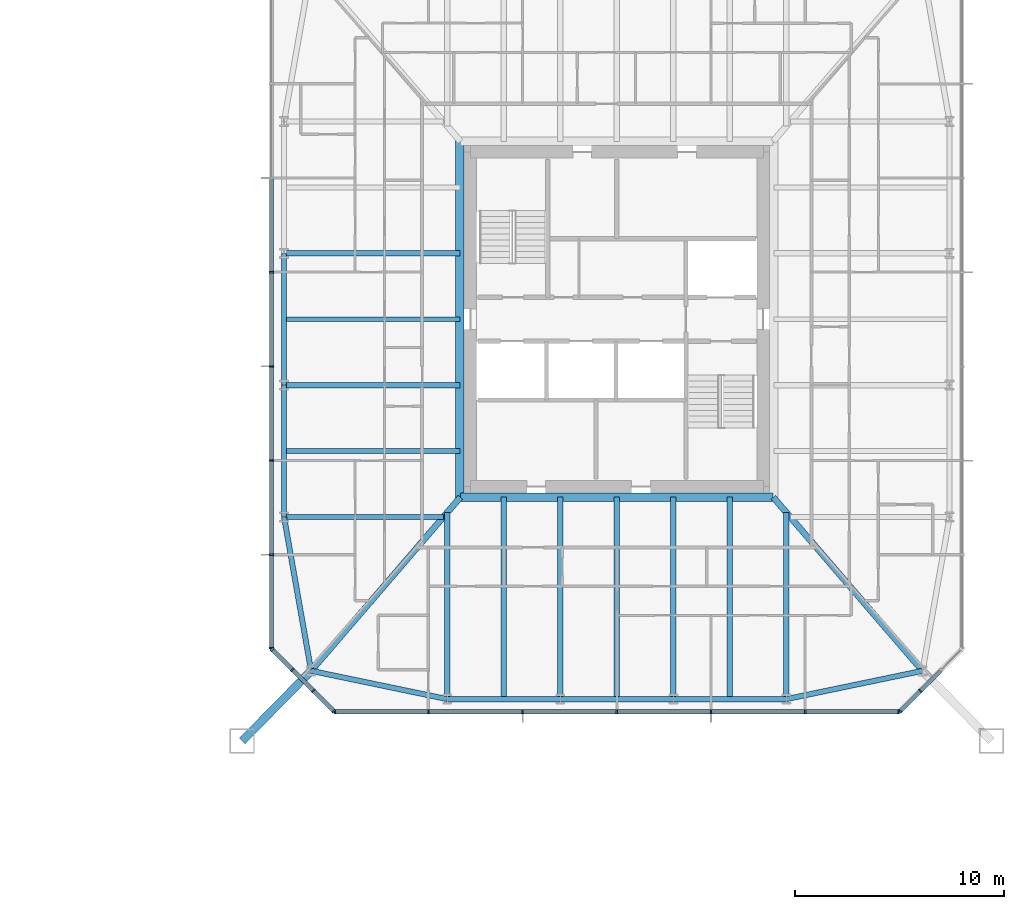
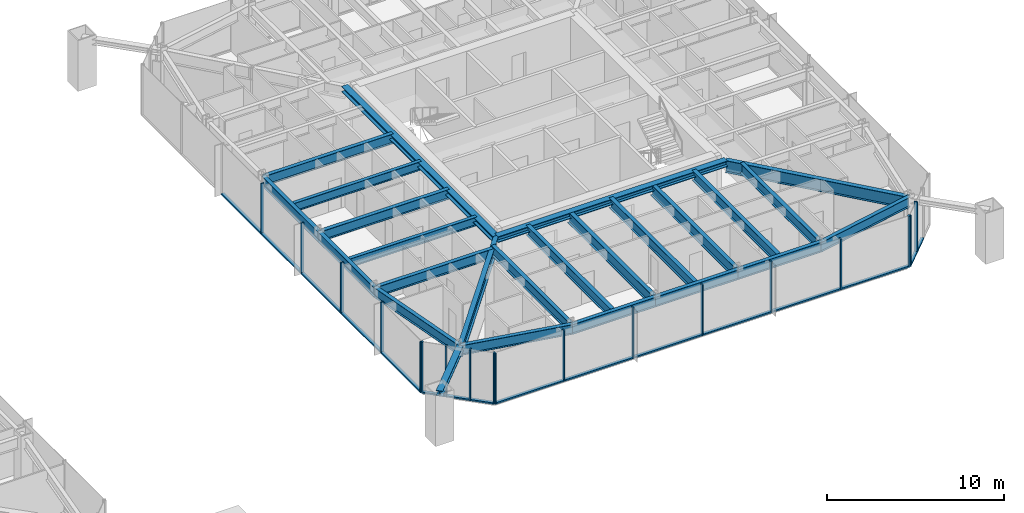
# One storey, part 8 of 26: 35 members, 24 beams, 4 elements without a shape of their own.
"""IFC4 building model written with IfcOpenShell, lengths in metres."""

from ifc_helpers import new_model, si_unit, direction, frame, origin, origin_2d, place, context, subcontext, project, spatial, rectangle, i_section, extrude, material, material_profile, profile_set, type_object, element, aggregate, save


model = new_model("IFC4")

# Units and contexts
model_context = context("Model", 3, precision=1e-05, world=origin(), true_north=direction((0.0, 1.0)))
body_context = subcontext(model_context, "Body", "Model", "MODEL_VIEW")
ifc_project = project(units=[si_unit("LENGTHUNIT", "METRE"), si_unit("AREAUNIT", "SQUARE_METRE"), si_unit("VOLUMEUNIT", "CUBIC_METRE"), si_unit("PLANEANGLEUNIT", "RADIAN"), si_unit("MASSUNIT", "GRAM", prefix="KILO")], contexts=[model_context])

# Site, building, storey
site_placement = place(None, origin())
site = spatial("IfcSite", under=ifc_project, at=site_placement, CompositionType="ELEMENT")
building_placement = place(site_placement, origin())
building = spatial("IfcBuilding", under=site, at=building_placement, Name="Iwan Alto Co-Living Towers", CompositionType="ELEMENT")
storey_placement = place(building_placement, frame((0.0, 0.0, 22.0)))
storey = spatial("IfcBuildingStorey", under=building, at=storey_placement, Name="L05", CompositionType="ELEMENT", Elevation=22.0)

# Curtain wall, members
ifc_material_1 = material(Name="Bronze aluminium unitised frame", Category="aluminium")
curtain_wall_type_1 = type_object("IfcCurtainWallType", Name="CURTAIN WALL CW-C", PredefinedType="NOTDEFINED", material=ifc_material_1)
curtain_wall_1_placement = place(storey_placement, origin())
curtain_wall_1 = element("IfcCurtainWall", 1, at=curtain_wall_1_placement, inside=storey, type_object=curtain_wall_type_1, Name="T2 curtain wall S L05", PredefinedType="NOTDEFINED")
ifc_material_2 = material(Name="Aluminium 6063-T6 bronze anodised", Category="aluminium")
ifc_material_profile_1 = material_profile(ifc_material_2, rectangle(XDim=0.199951171875, YDim=0.080078125, at=origin_2d()), Name="AL 80X200")
ifc_profile_set_1 = profile_set([ifc_material_profile_1], Name="Aluminium 6063-T6 bronze anodised")
member_type_1 = type_object("IfcMemberType", Name="CW-C MULLION 80X200", PredefinedType="MULLION", material=ifc_profile_set_1)
member_1_placement = place(storey_placement, frame((49.5400390625, -18.75, 0.0), z_axis=(0.0, 0.0, 1.0), x_axis=(0.0, 1.0, 0.0)))
member_1 = element("IfcMember", 2, at=member_1_placement, type_object=member_type_1, Name="CW-C mullion 1", PredefinedType="MULLION", context=body_context, shape_type="SweptSolid", body=[
    extrude(rectangle(XDim=0.199951171875, YDim=0.080078125, at=origin_2d()), origin(), (0.0, 0.0, 1.0), 3.5),
])
member_2_placement = place(storey_placement, frame((54.0, -18.75, 0.0), z_axis=(0.0, 0.0, 1.0), x_axis=(0.0, 1.0, 0.0)))
member_2 = element("IfcMember", 3, at=member_2_placement, type_object=member_type_1, Name="CW-C mullion 2", PredefinedType="MULLION", context=body_context, shape_type="SweptSolid", body=[
    extrude(rectangle(XDim=0.199951171875, YDim=0.080078125, at=origin_2d()), origin(), (0.0, 0.0, 1.0), 3.5),
])
member_3_placement = place(storey_placement, frame((58.5, -18.75, 0.0), z_axis=(0.0, 0.0, 1.0), x_axis=(0.0, 1.0, 0.0)))
member_3 = element("IfcMember", 4, at=member_3_placement, type_object=member_type_1, Name="CW-C mullion 3", PredefinedType="MULLION", context=body_context, shape_type="SweptSolid", body=[
    extrude(rectangle(XDim=0.199951171875, YDim=0.080078125, at=origin_2d()), origin(), (0.0, 0.0, 1.0), 3.5),
])
member_4_placement = place(storey_placement, frame((63.0, -18.75, 0.0), z_axis=(0.0, 0.0, 1.0), x_axis=(0.0, 1.0, 0.0)))
member_4 = element("IfcMember", 5, at=member_4_placement, type_object=member_type_1, Name="CW-C mullion 4", PredefinedType="MULLION", context=body_context, shape_type="SweptSolid", body=[
    extrude(rectangle(XDim=0.199951171875, YDim=0.080078125, at=origin_2d()), origin(), (0.0, 0.0, 1.0), 3.5),
])
member_5_placement = place(storey_placement, frame((67.5, -18.75, 0.0), z_axis=(0.0, 0.0, 1.0), x_axis=(0.0, 1.0, 0.0)))
member_5 = element("IfcMember", 6, at=member_5_placement, type_object=member_type_1, Name="CW-C mullion 5", PredefinedType="MULLION", context=body_context, shape_type="SweptSolid", body=[
    extrude(rectangle(XDim=0.199951171875, YDim=0.080078125, at=origin_2d()), origin(), (0.0, 0.0, 1.0), 3.5),
])
member_6_placement = place(storey_placement, frame((72.0, -18.75, 0.0), z_axis=(0.0, 0.0, 1.0), x_axis=(0.0, 1.0, 0.0)))
member_6 = element("IfcMember", 7, at=member_6_placement, type_object=member_type_1, Name="CW-C mullion 6", PredefinedType="MULLION", context=body_context, shape_type="SweptSolid", body=[
    extrude(rectangle(XDim=0.199951171875, YDim=0.080078125, at=origin_2d()), origin(), (0.0, 0.0, 1.0), 3.5),
])
member_7_placement = place(storey_placement, frame((76.4599609375, -18.75, 0.0), z_axis=(0.0, 0.0, 1.0), x_axis=(0.0, 1.0, 0.0)))
member_7 = element("IfcMember", 8, at=member_7_placement, type_object=member_type_1, Name="CW-C mullion 7", PredefinedType="MULLION", context=body_context, shape_type="SweptSolid", body=[
    extrude(rectangle(XDim=0.199951171875, YDim=0.080078125, at=origin_2d()), origin(), (0.0, 0.0, 1.0), 3.5),
])

curtain_wall_2_placement = place(storey_placement, origin())
curtain_wall_2 = element("IfcCurtainWall", 9, at=curtain_wall_2_placement, inside=storey, type_object=curtain_wall_type_1, Name="T2 curtain wall W L05", PredefinedType="NOTDEFINED")
member_8_placement = place(storey_placement, frame((46.5, 2.25, 0.0), z_axis=(0.0, 0.0, 1.0), x_axis=(1.0, 0.0, 0.0)))
member_8 = element("IfcMember", 10, at=member_8_placement, type_object=member_type_1, Name="CW-C mullion 4", PredefinedType="MULLION", context=body_context, shape_type="SweptSolid", body=[
    extrude(rectangle(XDim=0.199951171875, YDim=0.080078125, at=origin_2d()), origin(), (0.0, 0.0, 1.0), 3.5),
])
member_9_placement = place(storey_placement, frame((46.5, -2.25, 0.0), z_axis=(0.0, 0.0, 1.0), x_axis=(1.0, 0.0, 0.0)))
member_9 = element("IfcMember", 11, at=member_9_placement, type_object=member_type_1, Name="CW-C mullion 5", PredefinedType="MULLION", context=body_context, shape_type="SweptSolid", body=[
    extrude(rectangle(XDim=0.199951171875, YDim=0.080078125, at=origin_2d()), origin(), (0.0, 0.0, 1.0), 3.5),
])
member_10_placement = place(storey_placement, frame((46.5, -6.75, 0.0), z_axis=(0.0, 0.0, 1.0), x_axis=(1.0, 0.0, 0.0)))
member_10 = element("IfcMember", 12, at=member_10_placement, type_object=member_type_1, Name="CW-C mullion 6", PredefinedType="MULLION", context=body_context, shape_type="SweptSolid", body=[
    extrude(rectangle(XDim=0.199951171875, YDim=0.080078125, at=origin_2d()), origin(), (0.0, 0.0, 1.0), 3.5),
])
member_11_placement = place(storey_placement, frame((46.5, -11.25, 0.0), z_axis=(0.0, 0.0, 1.0), x_axis=(1.0, 0.0, 0.0)))
member_11 = element("IfcMember", 13, at=member_11_placement, type_object=member_type_1, Name="CW-C mullion 7", PredefinedType="MULLION", context=body_context, shape_type="SweptSolid", body=[
    extrude(rectangle(XDim=0.199951171875, YDim=0.080078125, at=origin_2d()), origin(), (0.0, 0.0, 1.0), 3.5),
])
member_12_placement = place(storey_placement, frame((46.5, -15.7099609375, 0.0), z_axis=(0.0, 0.0, 1.0), x_axis=(1.0, 0.0, 0.0)))
member_12 = element("IfcMember", 14, at=member_12_placement, type_object=member_type_1, Name="CW-C mullion 8", PredefinedType="MULLION", context=body_context, shape_type="SweptSolid", body=[
    extrude(rectangle(XDim=0.199951171875, YDim=0.080078125, at=origin_2d()), origin(), (0.0, 0.0, 1.0), 3.5),
])

# Member
ifc_material_3 = material(Name="Aluminium 6063-T6 bronze anodised", Category="aluminium")
ifc_material_profile_2 = material_profile(ifc_material_3, rectangle(XDim=0.199951171875, YDim=0.10009765625, at=origin_2d()), Name="AL 200X100")
ifc_profile_set_2 = profile_set([ifc_material_profile_2], Name="Aluminium 6063-T6 bronze anodised")
member_type_2 = type_object("IfcMemberType", Name="CW-C TRANSOM 200X100", PredefinedType="USERDEFINED", material=ifc_profile_set_2)
member_13_placement = place(storey_placement, frame((49.580078125, -18.75, 0.050048828125), z_axis=(1.0, 0.0, 0.0), x_axis=(0.0, 1.0, 0.0)))
member_13 = element("IfcMember", 15, at=member_13_placement, type_object=member_type_2, Name="CW-C transom 1.1", ObjectType="TRANSOM", PredefinedType="USERDEFINED", context=body_context, shape_type="SweptSolid", body=[
    extrude(rectangle(XDim=0.199951171875, YDim=0.10009765625, at=origin_2d()), origin(), (0.0, 0.0, 1.0), 4.3798828125),
])

member_14_placement = place(storey_placement, frame((54.0400390625, -18.75, 0.050048828125), z_axis=(1.0, 0.0, 0.0), x_axis=(0.0, 1.0, 0.0)))
member_14 = element("IfcMember", 16, at=member_14_placement, type_object=member_type_2, Name="CW-C transom 2.1", ObjectType="TRANSOM", PredefinedType="USERDEFINED", context=body_context, shape_type="SweptSolid", body=[
    extrude(rectangle(XDim=0.199951171875, YDim=0.10009765625, at=origin_2d()), origin(), (0.0, 0.0, 1.0), 4.419921875),
])

member_15_placement = place(storey_placement, frame((58.5400390625, -18.75, 0.050048828125), z_axis=(1.0, 0.0, 0.0), x_axis=(0.0, 1.0, 0.0)))
member_15 = element("IfcMember", 17, at=member_15_placement, type_object=member_type_2, Name="CW-C transom 3.1", ObjectType="TRANSOM", PredefinedType="USERDEFINED", context=body_context, shape_type="SweptSolid", body=[
    extrude(rectangle(XDim=0.199951171875, YDim=0.10009765625, at=origin_2d()), origin(), (0.0, 0.0, 1.0), 4.419921875),
])

member_16_placement = place(storey_placement, frame((63.0400390625, -18.75, 0.050048828125), z_axis=(1.0, 0.0, 0.0), x_axis=(0.0, 1.0, 0.0)))
member_16 = element("IfcMember", 18, at=member_16_placement, type_object=member_type_2, Name="CW-C transom 4.1", ObjectType="TRANSOM", PredefinedType="USERDEFINED", context=body_context, shape_type="SweptSolid", body=[
    extrude(rectangle(XDim=0.199951171875, YDim=0.10009765625, at=origin_2d()), origin(), (0.0, 0.0, 1.0), 4.419921875),
])

member_17_placement = place(storey_placement, frame((67.5400390625, -18.75, 0.050048828125), z_axis=(1.0, 0.0, 0.0), x_axis=(0.0, 1.0, 0.0)))
member_17 = element("IfcMember", 19, at=member_17_placement, type_object=member_type_2, Name="CW-C transom 5.1", ObjectType="TRANSOM", PredefinedType="USERDEFINED", context=body_context, shape_type="SweptSolid", body=[
    extrude(rectangle(XDim=0.199951171875, YDim=0.10009765625, at=origin_2d()), origin(), (0.0, 0.0, 1.0), 4.419921875),
])

member_18_placement = place(storey_placement, frame((72.0400390625, -18.75, 0.050048828125), z_axis=(1.0, 0.0, 0.0), x_axis=(0.0, 1.0, 0.0)))
member_18 = element("IfcMember", 20, at=member_18_placement, type_object=member_type_2, Name="CW-C transom 6.1", ObjectType="TRANSOM", PredefinedType="USERDEFINED", context=body_context, shape_type="SweptSolid", body=[
    extrude(rectangle(XDim=0.199951171875, YDim=0.10009765625, at=origin_2d()), origin(), (0.0, 0.0, 1.0), 4.3798828125),
])

aggregate(curtain_wall_1, [member_1, member_2, member_3, member_4, member_5, member_6, member_7, member_13, member_14, member_15, member_16, member_17, member_18])

member_19_placement = place(storey_placement, frame((46.5, 6.7099609375, 0.050048828125), z_axis=(0.0, -1.0, 0.0), x_axis=(1.0, 0.0, 0.0)))
member_19 = element("IfcMember", 21, at=member_19_placement, type_object=member_type_2, Name="CW-C transom 3.1", ObjectType="TRANSOM", PredefinedType="USERDEFINED", context=body_context, shape_type="SweptSolid", body=[
    extrude(rectangle(XDim=0.199951171875, YDim=0.10009765625, at=origin_2d()), origin(), (0.0, 0.0, 1.0), 4.419921875),
])

member_20_placement = place(storey_placement, frame((46.5, 2.2099609375, 0.050048828125), z_axis=(0.0, -1.0, 0.0), x_axis=(1.0, 0.0, 0.0)))
member_20 = element("IfcMember", 22, at=member_20_placement, type_object=member_type_2, Name="CW-C transom 4.1", ObjectType="TRANSOM", PredefinedType="USERDEFINED", context=body_context, shape_type="SweptSolid", body=[
    extrude(rectangle(XDim=0.199951171875, YDim=0.10009765625, at=origin_2d()), origin(), (0.0, 0.0, 1.0), 4.419921875),
])

member_21_placement = place(storey_placement, frame((46.5, -2.2900390625, 0.050048828125), z_axis=(0.0, -1.0, 0.0), x_axis=(1.0, 0.0, 0.0)))
member_21 = element("IfcMember", 23, at=member_21_placement, type_object=member_type_2, Name="CW-C transom 5.1", ObjectType="TRANSOM", PredefinedType="USERDEFINED", context=body_context, shape_type="SweptSolid", body=[
    extrude(rectangle(XDim=0.199951171875, YDim=0.10009765625, at=origin_2d()), origin(), (0.0, 0.0, 1.0), 4.419921875),
])

member_22_placement = place(storey_placement, frame((46.5, -6.7900390625, 0.050048828125), z_axis=(0.0, -1.0, 0.0), x_axis=(1.0, 0.0, 0.0)))
member_22 = element("IfcMember", 24, at=member_22_placement, type_object=member_type_2, Name="CW-C transom 6.1", ObjectType="TRANSOM", PredefinedType="USERDEFINED", context=body_context, shape_type="SweptSolid", body=[
    extrude(rectangle(XDim=0.199951171875, YDim=0.10009765625, at=origin_2d()), origin(), (0.0, 0.0, 1.0), 4.419921875),
])

member_23_placement = place(storey_placement, frame((46.5, -11.2900390625, 0.050048828125), z_axis=(0.0, -1.0, 0.0), x_axis=(1.0, 0.0, 0.0)))
member_23 = element("IfcMember", 25, at=member_23_placement, type_object=member_type_2, Name="CW-C transom 7.1", ObjectType="TRANSOM", PredefinedType="USERDEFINED", context=body_context, shape_type="SweptSolid", body=[
    extrude(rectangle(XDim=0.199951171875, YDim=0.10009765625, at=origin_2d()), origin(), (0.0, 0.0, 1.0), 4.3798828125),
])

aggregate(curtain_wall_2, [member_8, member_9, member_10, member_11, member_12, member_19, member_20, member_21, member_22, member_23])

# Curtain wall, members
ifc_material_4 = material(Name="Bronze aluminium unitised frame", Category="aluminium")
curtain_wall_type_2 = type_object("IfcCurtainWallType", Name="CURTAIN WALL CW-D", PredefinedType="NOTDEFINED", material=ifc_material_4)
curtain_wall_3_placement = place(storey_placement, origin())
curtain_wall_3 = element("IfcCurtainWall", 26, at=curtain_wall_3_placement, inside=storey, type_object=curtain_wall_type_2, Name="T2 chamfer curtain wall SE L05", PredefinedType="NOTDEFINED")
ifc_material_5 = material(Name="Aluminium 6063-T6 bronze anodised", Category="aluminium")
ifc_material_profile_3 = material_profile(ifc_material_5, rectangle(XDim=0.199951171875, YDim=0.080078125, at=origin_2d()), Name="AL 80X200")
ifc_profile_set_3 = profile_set([ifc_material_profile_3], Name="Aluminium 6063-T6 bronze anodised")
member_type_3 = type_object("IfcMemberType", Name="CW-D MULLION 80X200", PredefinedType="MULLION", material=ifc_profile_set_3)
member_24_placement = place(storey_placement, frame((76.5283203125, -18.7216796875, 0.0), z_axis=(0.0, 0.0, 1.0), x_axis=(-0.707106781187, 0.707106781187, 0.0)))
member_24 = element("IfcMember", 27, at=member_24_placement, type_object=member_type_3, Name="CW-D mullion 1", PredefinedType="MULLION", context=body_context, shape_type="SweptSolid", body=[
    extrude(rectangle(XDim=0.199951171875, YDim=0.080078125, at=origin_2d()), origin(), (0.0, 0.0, 1.0), 3.5),
])
member_25_placement = place(storey_placement, frame((77.5, -17.75, 0.0), z_axis=(0.0, 0.0, 1.0), x_axis=(-0.707106781187, 0.707106781187, 0.0)))
member_25 = element("IfcMember", 28, at=member_25_placement, type_object=member_type_3, Name="CW-D mullion 2", PredefinedType="MULLION", context=body_context, shape_type="SweptSolid", body=[
    extrude(rectangle(XDim=0.199951171875, YDim=0.080078125, at=origin_2d()), origin(), (0.0, 0.0, 1.0), 3.5),
])

curtain_wall_4_placement = place(storey_placement, origin())
curtain_wall_4 = element("IfcCurtainWall", 29, at=curtain_wall_4_placement, inside=storey, type_object=curtain_wall_type_2, Name="T2 chamfer curtain wall SW L05", PredefinedType="NOTDEFINED")
member_26_placement = place(storey_placement, frame((46.5283203125, -15.7783203125, 0.0), z_axis=(0.0, 0.0, 1.0), x_axis=(0.707106781187, 0.707106781187, 0.0)))
member_26 = element("IfcMember", 30, at=member_26_placement, type_object=member_type_3, Name="CW-D mullion 1", PredefinedType="MULLION", context=body_context, shape_type="SweptSolid", body=[
    extrude(rectangle(XDim=0.199951171875, YDim=0.080078125, at=origin_2d()), origin(), (0.0, 0.0, 1.0), 3.5),
])
member_27_placement = place(storey_placement, frame((47.5, -16.75, 0.0), z_axis=(0.0, 0.0, 1.0), x_axis=(0.707106781187, 0.707106781187, 0.0)))
member_27 = element("IfcMember", 31, at=member_27_placement, type_object=member_type_3, Name="CW-D mullion 2", PredefinedType="MULLION", context=body_context, shape_type="SweptSolid", body=[
    extrude(rectangle(XDim=0.199951171875, YDim=0.080078125, at=origin_2d()), origin(), (0.0, 0.0, 1.0), 3.5),
])
member_28_placement = place(storey_placement, frame((48.5, -17.75, 0.0), z_axis=(0.0, 0.0, 1.0), x_axis=(0.707106781187, 0.707106781187, 0.0)))
member_28 = element("IfcMember", 32, at=member_28_placement, type_object=member_type_3, Name="CW-D mullion 3", PredefinedType="MULLION", context=body_context, shape_type="SweptSolid", body=[
    extrude(rectangle(XDim=0.199951171875, YDim=0.080078125, at=origin_2d()), origin(), (0.0, 0.0, 1.0), 3.5),
])
member_29_placement = place(storey_placement, frame((49.4716796875, -18.7216796875, 0.0), z_axis=(0.0, 0.0, 1.0), x_axis=(0.707106781187, 0.707106781187, 0.0)))
member_29 = element("IfcMember", 33, at=member_29_placement, type_object=member_type_3, Name="CW-D mullion 4", PredefinedType="MULLION", context=body_context, shape_type="SweptSolid", body=[
    extrude(rectangle(XDim=0.199951171875, YDim=0.080078125, at=origin_2d()), origin(), (0.0, 0.0, 1.0), 3.5),
])

# Member
ifc_material_6 = material(Name="Aluminium 6063-T6 bronze anodised", Category="aluminium")
ifc_material_profile_4 = material_profile(ifc_material_6, rectangle(XDim=0.199951171875, YDim=0.10009765625, at=origin_2d()), Name="AL 200X100")
ifc_profile_set_4 = profile_set([ifc_material_profile_4], Name="Aluminium 6063-T6 bronze anodised")
member_type_4 = type_object("IfcMemberType", Name="CW-D TRANSOM 200X100", PredefinedType="USERDEFINED", material=ifc_profile_set_4)
member_30_placement = place(storey_placement, frame((76.556640625, -18.693359375, 0.050048828125), z_axis=(0.707106781187, 0.707106781187, 0.0), x_axis=(-0.707106781187, 0.707106781187, 0.0)))
member_30 = element("IfcMember", 34, at=member_30_placement, type_object=member_type_4, Name="CW-D transom 1.1", ObjectType="TRANSOM", PredefinedType="USERDEFINED", context=body_context, shape_type="SweptSolid", body=[
    extrude(rectangle(XDim=0.199951171875, YDim=0.10009765625, at=origin_2d()), origin(), (0.0, 0.0, 1.0), 1.2939453125),
])

member_31_placement = place(storey_placement, frame((77.5283203125, -17.7216796875, 0.050048828125), z_axis=(0.707106781187, 0.707106781187, 0.0), x_axis=(-0.707106781187, 0.707106781187, 0.0)))
member_31 = element("IfcMember", 35, at=member_31_placement, type_object=member_type_4, Name="CW-D transom 2.1", ObjectType="TRANSOM", PredefinedType="USERDEFINED", context=body_context, shape_type="SweptSolid", body=[
    extrude(rectangle(XDim=0.199951171875, YDim=0.10009765625, at=origin_2d()), origin(), (0.0, 0.0, 1.0), 1.334228515625),
])

aggregate(curtain_wall_3, [member_24, member_25, member_30, member_31])

member_32_placement = place(storey_placement, frame((46.556640625, -15.806640625, 0.050048828125), z_axis=(0.707106781187, -0.707106781187, 0.0), x_axis=(0.707106781187, 0.707106781187, 0.0)))
member_32 = element("IfcMember", 36, at=member_32_placement, type_object=member_type_4, Name="CW-D transom 1.1", ObjectType="TRANSOM", PredefinedType="USERDEFINED", context=body_context, shape_type="SweptSolid", body=[
    extrude(rectangle(XDim=0.199951171875, YDim=0.10009765625, at=origin_2d()), origin(), (0.0, 0.0, 1.0), 1.2939453125),
])

member_33_placement = place(storey_placement, frame((47.5283203125, -16.7783203125, 0.050048828125), z_axis=(0.707106781187, -0.707106781187, 0.0), x_axis=(0.707106781187, 0.707106781187, 0.0)))
member_33 = element("IfcMember", 37, at=member_33_placement, type_object=member_type_4, Name="CW-D transom 2.1", ObjectType="TRANSOM", PredefinedType="USERDEFINED", context=body_context, shape_type="SweptSolid", body=[
    extrude(rectangle(XDim=0.199951171875, YDim=0.10009765625, at=origin_2d()), origin(), (0.0, 0.0, 1.0), 1.334228515625),
])

member_34_placement = place(storey_placement, frame((48.5283203125, -17.7783203125, 0.050048828125), z_axis=(0.707106781187, -0.707106781187, 0.0), x_axis=(0.707106781187, 0.707106781187, 0.0)))
member_34 = element("IfcMember", 38, at=member_34_placement, type_object=member_type_4, Name="CW-D transom 3.1", ObjectType="TRANSOM", PredefinedType="USERDEFINED", context=body_context, shape_type="SweptSolid", body=[
    extrude(rectangle(XDim=0.199951171875, YDim=0.10009765625, at=origin_2d()), origin(), (0.0, 0.0, 1.0), 1.2939453125),
])

aggregate(curtain_wall_4, [member_26, member_27, member_28, member_29, member_32, member_33, member_34])

# Beams
ifc_material_7 = material(Name="Steel ASTM A992 Gr 50", Category="steel")
ifc_material_profile_5 = material_profile(ifc_material_7, i_section(OverallWidth=0.40380859375, OverallDepth=0.406494140625, WebThickness=0.027099609375, FlangeThickness=0.043701171875, at=origin_2d()), Name="W14X233")
ifc_profile_set_5 = profile_set([ifc_material_profile_5], Name="Steel ASTM A992 Gr 50")
beam_type_1 = type_object("IfcBeamType", Name="T2 CORE LEDGER BEAM W14X233", PredefinedType="BEAM", material=ifc_profile_set_5)
beam_1_placement = place(storey_placement, frame((55.5263671875, -8.501953125, 3.06689453125), z_axis=(1.0, 0.0, 0.0), x_axis=(0.0, 1.0, 0.0)))
element("IfcBeam", 39, at=beam_1_placement, inside=storey, type_object=beam_type_1, Name="T2 core ledger beam S L06", PredefinedType="BEAM", context=body_context, shape_type="SweptSolid", body=[
    extrude(i_section(OverallWidth=0.40380859375, OverallDepth=0.406494140625, WebThickness=0.027099609375, FlangeThickness=0.043701171875, at=origin_2d()), origin(), (0.0, 0.0, 1.0), 14.947265625),
])
beam_2_placement = place(storey_placement, frame((55.498046875, 8.534912109375, 3.06689453125), z_axis=(0.0, -1.0, 0.0), x_axis=(1.0, 0.0, 0.0)))
element("IfcBeam", 40, at=beam_2_placement, inside=storey, type_object=beam_type_1, Name="T2 core ledger beam W L06", PredefinedType="BEAM", context=body_context, shape_type="SweptSolid", body=[
    extrude(i_section(OverallWidth=0.40380859375, OverallDepth=0.406494140625, WebThickness=0.027099609375, FlangeThickness=0.043701171875, at=origin_2d()), origin(), (0.0, 0.0, 1.0), 17.06982421875),
])
ifc_material_8 = material(Name="Steel ASTM A992 Gr 50", Category="steel")
ifc_material_profile_6 = material_profile(ifc_material_8, i_section(OverallWidth=0.2919921875, OverallDepth=0.8408203125, WebThickness=0.0146484375, FlangeThickness=0.021728515625, at=origin_2d()), Name="W33X130")
ifc_profile_set_6 = profile_set([ifc_material_profile_6], Name="Steel ASTM A992 Gr 50")
beam_type_2 = type_object("IfcBeamType", Name="T2 CORNER GIRDER W33X130", PredefinedType="BEAM", material=ifc_profile_set_6)
for number, where, z_axis, x_axis, name in (
    (41, (48.393798828125, -16.797119140625, 2.849609375), (0.651972301827, 0.758242782788, 0.0), (-0.758242782788, 0.651972301827, 0.0), "T2 corner girder CSW L06"),
    (42, (77.606201171875, -16.797119140625, 2.849609375), (-0.651972301827, 0.758242782788, 0.0), (-0.758242782788, -0.651972301827, 0.0), "T2 corner girder CSE L06"),
):
    element("IfcBeam", number, at=place(storey_placement, frame(where, z_axis=z_axis, x_axis=x_axis)), inside=storey, type_object=beam_type_2, Name=name, PredefinedType="BEAM", context=body_context, shape_type="SweptSolid", body=[
        extrude(i_section(OverallWidth=0.2919921875, OverallDepth=0.8408203125, WebThickness=0.0146484375, FlangeThickness=0.021728515625, at=origin_2d()), origin(), (0.0, 0.0, 1.0), 10.93994140625),
    ])
ifc_material_9 = material(Name="Steel ASTM A992 Gr 50", Category="steel")
ifc_material_profile_7 = material_profile(ifc_material_9, i_section(OverallWidth=0.25390625, OverallDepth=0.683349609375, WebThickness=0.012451171875, FlangeThickness=0.018798828125, at=origin_2d()), Name="W27X94")
ifc_profile_set_7 = profile_set([ifc_material_profile_7], Name="Steel ASTM A992 Gr 50")
beam_type_3 = type_object("IfcBeamType", Name="T2 EDGE BEAM W27X94", PredefinedType="BEAM", material=ifc_profile_set_7)
beam_3_placement = place(storey_placement, frame((48.393798828125, -16.797119140625, 2.928466796875), z_axis=(0.979060119423, -0.203571320564, 0.0), x_axis=(0.203571320564, 0.979060119423, 0.0)))
element("IfcBeam", 43, at=beam_3_placement, inside=storey, type_object=beam_type_3, Name="T2 edge beam CSW L06", PredefinedType="BEAM", context=body_context, shape_type="SweptSolid", body=[
    extrude(i_section(OverallWidth=0.25390625, OverallDepth=0.683349609375, WebThickness=0.012451171875, FlangeThickness=0.018798828125, at=origin_2d()), origin(), (0.0, 0.0, 1.0), 6.645263671875),
])
beam_4_placement = place(storey_placement, frame((54.89990234375, -18.14990234375, 2.928466796875), z_axis=(1.0, 0.0, 0.0), x_axis=(0.0, 1.0, 0.0)))
element("IfcBeam", 44, at=beam_4_placement, inside=storey, type_object=beam_type_3, Name="T2 edge beam S1 L06", PredefinedType="BEAM", context=body_context, shape_type="SweptSolid", body=[
    extrude(i_section(OverallWidth=0.25390625, OverallDepth=0.683349609375, WebThickness=0.012451171875, FlangeThickness=0.018798828125, at=origin_2d()), origin(), (0.0, 0.0, 1.0), 5.400146484375),
])
beam_5_placement = place(storey_placement, frame((60.300048828125, -18.14990234375, 2.928466796875), z_axis=(1.0, 0.0, 0.0), x_axis=(0.0, 1.0, 0.0)))
element("IfcBeam", 45, at=beam_5_placement, inside=storey, type_object=beam_type_3, Name="T2 edge beam S2 L06", PredefinedType="BEAM", context=body_context, shape_type="SweptSolid", body=[
    extrude(i_section(OverallWidth=0.25390625, OverallDepth=0.683349609375, WebThickness=0.012451171875, FlangeThickness=0.018798828125, at=origin_2d()), origin(), (0.0, 0.0, 1.0), 5.39990234375),
])
beam_6_placement = place(storey_placement, frame((65.699951171875, -18.14990234375, 2.928466796875), z_axis=(1.0, 0.0, 0.0), x_axis=(0.0, 1.0, 0.0)))
element("IfcBeam", 46, at=beam_6_placement, inside=storey, type_object=beam_type_3, Name="T2 edge beam S3 L06", PredefinedType="BEAM", context=body_context, shape_type="SweptSolid", body=[
    extrude(i_section(OverallWidth=0.25390625, OverallDepth=0.683349609375, WebThickness=0.012451171875, FlangeThickness=0.018798828125, at=origin_2d()), origin(), (0.0, 0.0, 1.0), 5.400146484375),
])
beam_7_placement = place(storey_placement, frame((71.10009765625, -18.14990234375, 2.928466796875), z_axis=(0.979060119423, 0.203571320564, 0.0), x_axis=(-0.203571320564, 0.979060119423, 0.0)))
element("IfcBeam", 47, at=beam_7_placement, inside=storey, type_object=beam_type_3, Name="T2 edge beam S4 L06", PredefinedType="BEAM", context=body_context, shape_type="SweptSolid", body=[
    extrude(i_section(OverallWidth=0.25390625, OverallDepth=0.683349609375, WebThickness=0.012451171875, FlangeThickness=0.018798828125, at=origin_2d()), origin(), (0.0, 0.0, 1.0), 6.645263671875),
])
beam_8_placement = place(storey_placement, frame((47.10009765625, 3.14990234375, 2.928466796875), z_axis=(0.0, -1.0, 0.0), x_axis=(1.0, 0.0, 0.0)))
element("IfcBeam", 48, at=beam_8_placement, inside=storey, type_object=beam_type_3, Name="T2 edge beam W2 L06", PredefinedType="BEAM", context=body_context, shape_type="SweptSolid", body=[
    extrude(i_section(OverallWidth=0.25390625, OverallDepth=0.683349609375, WebThickness=0.012451171875, FlangeThickness=0.018798828125, at=origin_2d()), origin(), (0.0, 0.0, 1.0), 6.2998046875),
])
beam_9_placement = place(storey_placement, frame((47.10009765625, -3.14990234375, 2.928466796875), z_axis=(0.0, -1.0, 0.0), x_axis=(1.0, 0.0, 0.0)))
element("IfcBeam", 49, at=beam_9_placement, inside=storey, type_object=beam_type_3, Name="T2 edge beam W3 L06", PredefinedType="BEAM", context=body_context, shape_type="SweptSolid", body=[
    extrude(i_section(OverallWidth=0.25390625, OverallDepth=0.683349609375, WebThickness=0.012451171875, FlangeThickness=0.018798828125, at=origin_2d()), origin(), (0.0, 0.0, 1.0), 6.300048828125),
])
beam_10_placement = place(storey_placement, frame((47.10009765625, -9.449951171875, 2.928466796875), z_axis=(0.173413807283, -0.98484905008, 0.0), x_axis=(0.98484905008, 0.173413807283, 0.0)))
element("IfcBeam", 50, at=beam_10_placement, inside=storey, type_object=beam_type_3, Name="T2 edge beam W4 L06", PredefinedType="BEAM", context=body_context, shape_type="SweptSolid", body=[
    extrude(i_section(OverallWidth=0.25390625, OverallDepth=0.683349609375, WebThickness=0.012451171875, FlangeThickness=0.018798828125, at=origin_2d()), origin(), (0.0, 0.0, 1.0), 7.460205078125),
])

# Member
ifc_material_10 = material(Name="Steel ASTM A992 Gr 50", Category="steel")
ifc_material_profile_8 = material_profile(ifc_material_10, i_section(OverallWidth=0.393798828125, OverallDepth=0.3759765625, WebThickness=0.017333984375, FlangeThickness=0.027587890625, at=origin_2d()), Name="W14X145")
ifc_profile_set_8 = profile_set([ifc_material_profile_8], Name="Steel ASTM A992 Gr 50")
member_type_5 = type_object("IfcMemberType", Name="T2 MEGA COLUMN FLOOR TIE W14X145", PredefinedType="STRUT", material=ifc_profile_set_8)
member_35_placement = place(storey_placement, frame((45.10009765625, -20.14990234375, 3.08203125), z_axis=(0.700793469544, 0.71336422187, 0.0), x_axis=(-0.71336422187, 0.700793469544, 0.0)))
element("IfcMember", 51, at=member_35_placement, inside=storey, type_object=member_type_5, Name="T2 mega column floor tie SW L06", PredefinedType="STRUT", context=body_context, shape_type="SweptSolid", body=[
    extrude(i_section(OverallWidth=0.393798828125, OverallDepth=0.3759765625, WebThickness=0.017333984375, FlangeThickness=0.027587890625, at=origin_2d()), origin(), (0.0, 0.0, 1.0), 4.699951171875),
])

# Beams
ifc_material_11 = material(Name="Steel ASTM A992 Gr 50", Category="steel")
ifc_material_profile_9 = material_profile(ifc_material_11, i_section(OverallWidth=0.25390625, OverallDepth=0.683349609375, WebThickness=0.012451171875, FlangeThickness=0.018798828125, at=origin_2d()), Name="W27X94")
ifc_profile_set_9 = profile_set([ifc_material_profile_9], Name="Steel ASTM A992 Gr 50")
beam_type_4 = type_object("IfcBeamType", Name="T2 RADIAL BEAM W27X94", PredefinedType="BEAM", material=ifc_profile_set_9)
for number, where, z_axis, x_axis, name in (
    (52, (54.89990234375, -18.14990234375, 2.928466796875), (0.0, 1.0, 0.0), (-1.0, 0.0, 0.0), "T2 radial beam S1 L06"),
    (53, (71.10009765625, -18.14990234375, 2.928466796875), (0.0, 1.0, 0.0), (-1.0, 0.0, 0.0), "T2 radial beam S4 L06"),
):
    element("IfcBeam", number, at=place(storey_placement, frame(where, z_axis=z_axis, x_axis=x_axis)), inside=storey, type_object=beam_type_4, Name=name, PredefinedType="BEAM", context=body_context, shape_type="SweptSolid", body=[
        extrude(i_section(OverallWidth=0.25390625, OverallDepth=0.683349609375, WebThickness=0.012451171875, FlangeThickness=0.018798828125, at=origin_2d()), origin(), (0.0, 0.0, 1.0), 8.91943359375),
    ])
for number, where, z_axis, x_axis, name in (
    (54, (47.10009765625, 3.14990234375, 2.928466796875), (1.0, 0.0, 0.0), (0.0, 1.0, 0.0), "T2 radial beam W2 L06"),
    (55, (47.10009765625, -3.14990234375, 2.928466796875), (1.0, 0.0, 0.0), (0.0, 1.0, 0.0), "T2 radial beam W3 L06"),
):
    element("IfcBeam", number, at=place(storey_placement, frame(where, z_axis=z_axis, x_axis=x_axis)), inside=storey, type_object=beam_type_4, Name=name, PredefinedType="BEAM", context=body_context, shape_type="SweptSolid", body=[
        extrude(i_section(OverallWidth=0.25390625, OverallDepth=0.683349609375, WebThickness=0.012451171875, FlangeThickness=0.018798828125, at=origin_2d()), origin(), (0.0, 0.0, 1.0), 8.39794921875),
    ])
beam_11_placement = place(storey_placement, frame((47.10009765625, -9.449951171875, 2.928466796875), z_axis=(1.0, 0.0, 0.0), x_axis=(0.0, 1.0, 0.0)))
element("IfcBeam", 56, at=beam_11_placement, inside=storey, type_object=beam_type_4, Name="T2 radial beam W4 L06", PredefinedType="BEAM", context=body_context, shape_type="SweptSolid", body=[
    extrude(i_section(OverallWidth=0.25390625, OverallDepth=0.683349609375, WebThickness=0.012451171875, FlangeThickness=0.018798828125, at=origin_2d()), origin(), (0.0, 0.0, 1.0), 7.611083984375),
])
ifc_material_12 = material(Name="Steel ASTM A992 Gr 50", Category="steel")
ifc_material_profile_10 = material_profile(ifc_material_12, i_section(OverallWidth=0.2666015625, OverallDepth=0.761962890625, WebThickness=0.014404296875, FlangeThickness=0.021484375, at=origin_2d()), Name="W30X116")
ifc_profile_set_10 = profile_set([ifc_material_profile_10], Name="Steel ASTM A992 Gr 50")
beam_type_5 = type_object("IfcBeamType", Name="T2 RADIAL BEAM W30X116", PredefinedType="BEAM", material=ifc_profile_set_10)
for number, where, z_axis, x_axis, name in (
    (57, (60.300048828125, -18.14990234375, 2.888916015625), (0.0, 1.0, 0.0), (-1.0, 0.0, 0.0), "T2 radial beam S2 L06"),
    (58, (65.699951171875, -18.14990234375, 2.888916015625), (0.0, 1.0, 0.0), (-1.0, 0.0, 0.0), "T2 radial beam S3 L06"),
):
    element("IfcBeam", number, at=place(storey_placement, frame(where, z_axis=z_axis, x_axis=x_axis)), inside=storey, type_object=beam_type_5, Name=name, PredefinedType="BEAM", context=body_context, shape_type="SweptSolid", body=[
        extrude(i_section(OverallWidth=0.2666015625, OverallDepth=0.761962890625, WebThickness=0.014404296875, FlangeThickness=0.021484375, at=origin_2d()), origin(), (0.0, 0.0, 1.0), 9.64794921875),
    ])
ifc_material_13 = material(Name="Steel ASTM A992 Gr 50", Category="steel")
ifc_material_profile_11 = material_profile(ifc_material_13, i_section(OverallWidth=0.228271484375, OverallDepth=0.607177734375, WebThickness=0.01123046875, FlangeThickness=0.017333984375, at=origin_2d()), Name="W24X76")
ifc_profile_set_11 = profile_set([ifc_material_profile_11], Name="Steel ASTM A992 Gr 50")
beam_type_6 = type_object("IfcBeamType", Name="T2 SECONDARY BEAM W24X76", PredefinedType="JOIST", material=ifc_profile_set_11)
for number, where, z_axis, x_axis, name in (
    (59, (47.10009765625, 0.0, 2.966552734375), (1.0, 0.0, 0.0), (0.0, 1.0, 0.0), "T2 secondary beam W2 L06"),
    (60, (47.10009765625, -6.300048828125, 2.966552734375), (1.0, 0.0, 0.0), (0.0, 1.0, 0.0), "T2 secondary beam W3 L06"),
):
    element("IfcBeam", number, at=place(storey_placement, frame(where, z_axis=z_axis, x_axis=x_axis)), inside=storey, type_object=beam_type_6, Name=name, PredefinedType="JOIST", context=body_context, shape_type="SweptSolid", body=[
        extrude(i_section(OverallWidth=0.228271484375, OverallDepth=0.607177734375, WebThickness=0.01123046875, FlangeThickness=0.017333984375, at=origin_2d()), origin(), (0.0, 0.0, 1.0), 8.39794921875),
    ])
ifc_material_14 = material(Name="Steel ASTM A992 Gr 50", Category="steel")
ifc_material_profile_12 = material_profile(ifc_material_14, i_section(OverallWidth=0.25390625, OverallDepth=0.683349609375, WebThickness=0.012451171875, FlangeThickness=0.018798828125, at=origin_2d()), Name="W27X94")
ifc_profile_set_12 = profile_set([ifc_material_profile_12], Name="Steel ASTM A992 Gr 50")
beam_type_7 = type_object("IfcBeamType", Name="T2 SECONDARY BEAM W27X94", PredefinedType="JOIST", material=ifc_profile_set_12)
for number, where, z_axis, x_axis, name in (
    (61, (57.60009765625, -18.14990234375, 2.928466796875), (0.0, 1.0, 0.0), (-1.0, 0.0, 0.0), "T2 secondary beam S1 L06"),
    (62, (63.0, -18.14990234375, 2.928466796875), (0.0, 1.0, 0.0), (-1.0, 0.0, 0.0), "T2 secondary beam S2 L06"),
    (63, (68.39990234375, -18.14990234375, 2.928466796875), (0.0, 1.0, 0.0), (-1.0, 0.0, 0.0), "T2 secondary beam S3 L06"),
):
    element("IfcBeam", number, at=place(storey_placement, frame(where, z_axis=z_axis, x_axis=x_axis)), inside=storey, type_object=beam_type_7, Name=name, PredefinedType="JOIST", context=body_context, shape_type="SweptSolid", body=[
        extrude(i_section(OverallWidth=0.25390625, OverallDepth=0.683349609375, WebThickness=0.012451171875, FlangeThickness=0.018798828125, at=origin_2d()), origin(), (0.0, 0.0, 1.0), 9.64794921875),
    ])

save(model, "model.ifc")
